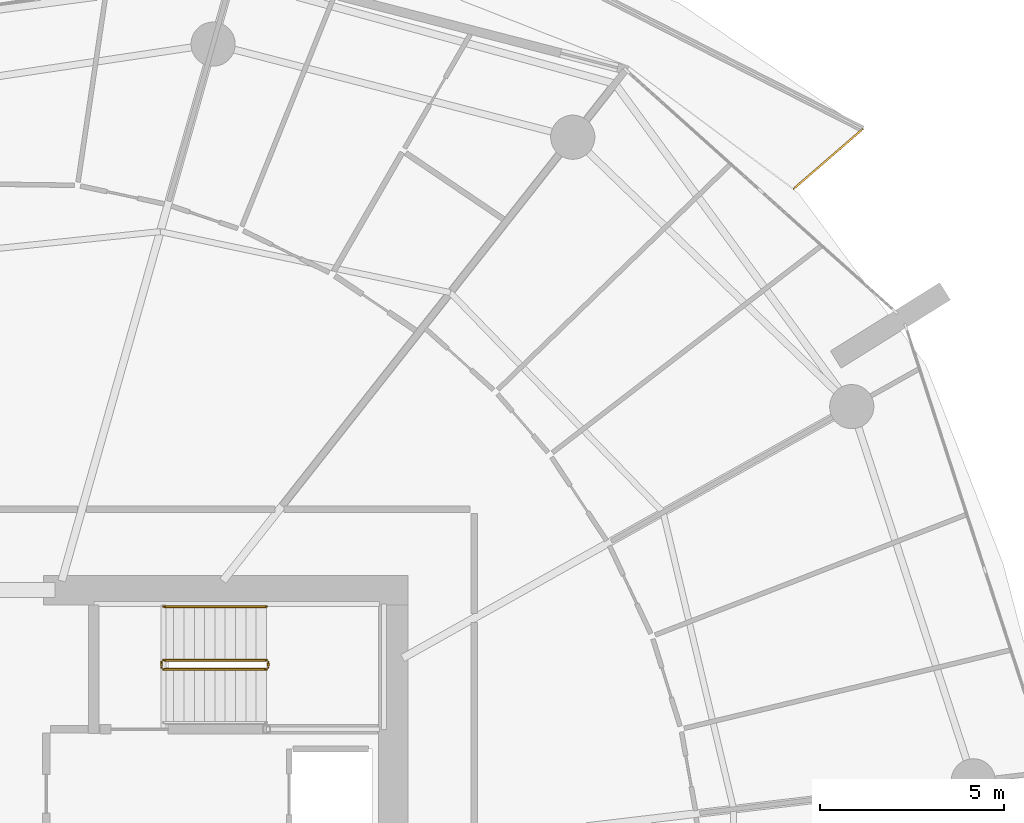
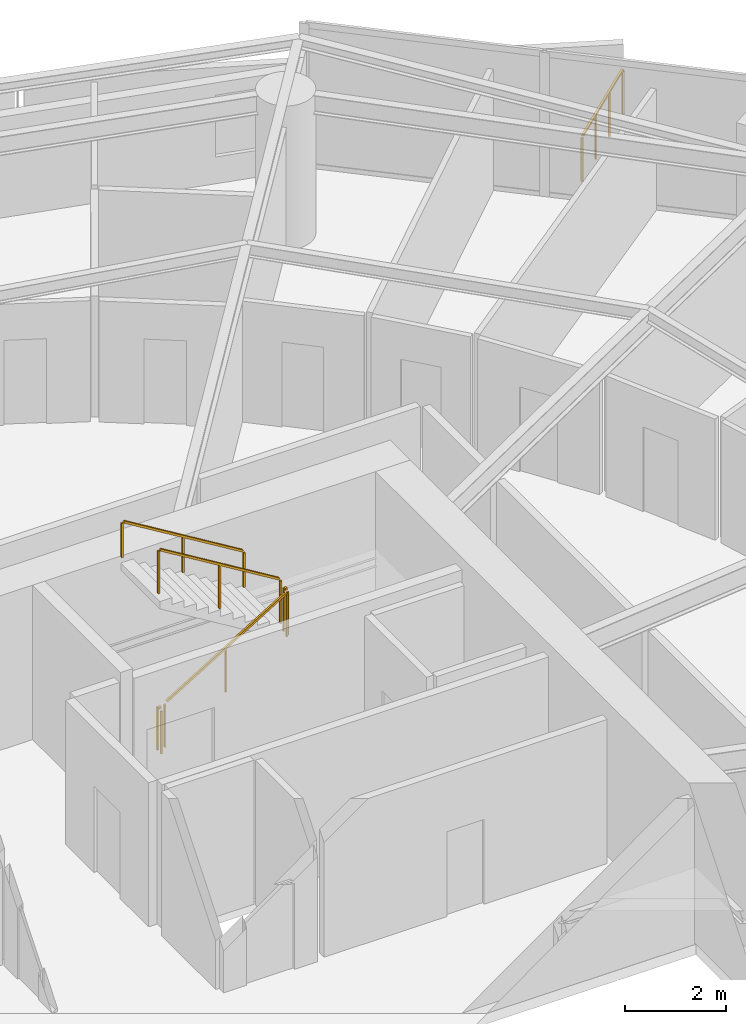
# One storey, part 22 of 23: 6 railings.
"""IFC4 building model written with IfcOpenShell, lengths in metres."""

from ifc_helpers import new_model, si_unit, direction, frame, origin, origin_2d, place, context, subcontext, project, spatial, rectangle, extrude, material, type_object, element, save


model = new_model("IFC4")

# Units and contexts
model_context = context("Model", 3, precision=1e-05, world=origin(), true_north=direction((0.0, 1.0)))
body_context = subcontext(model_context, "Body", "Model", "MODEL_VIEW")
ifc_project = project(units=[si_unit("LENGTHUNIT", "METRE"), si_unit("AREAUNIT", "SQUARE_METRE"), si_unit("VOLUMEUNIT", "CUBIC_METRE"), si_unit("PLANEANGLEUNIT", "RADIAN"), si_unit("MASSUNIT", "GRAM", prefix="KILO")], contexts=[model_context])

# Site, building, storey
site_placement = place(None, origin())
site = spatial("IfcSite", under=ifc_project, at=site_placement, CompositionType="ELEMENT")
building_placement = place(site_placement, origin())
building = spatial("IfcBuilding", under=site, at=building_placement, Name="Kazma Halo Residences", CompositionType="ELEMENT")
storey_placement = place(building_placement, frame((0.0, 0.0, 108.89990234375)))
storey = spatial("IfcBuildingStorey", under=building, at=storey_placement, Name="L27", CompositionType="ELEMENT", Elevation=108.89990234375)

# Railings
ifc_material_1 = material(Name="Aluminium AW-6063 T6 Brushed Cap Rail", Category="aluminium")
railing_type_1 = type_object("IfcRailingType", Name="RLG-BAL-CAP-1120", PredefinedType="BALUSTRADE", material=ifc_material_1)
railing_1_placement = place(storey_placement, frame((70.323974609375, 61.303466796875, 0.0)))
element("IfcRailing", 1, at=railing_1_placement, inside=storey, type_object=railing_type_1, Name="L27 NE wave balcony guard 1", PredefinedType="BALUSTRADE", context=body_context, shape_type="SweptSolid", body=[
    extrude(rectangle(XDim=0.050048828125, YDim=0.050048828125, at=origin_2d()), frame((0.0322265625, 0.02783203125, 1.09521484375), z_axis=(0.756422383747, 0.654083463609, 0.0), x_axis=(-0.654083463609, 0.756422383747, 0.0)), (0.0, 0.0, 1.0), 2.39599609375),
    extrude(rectangle(XDim=0.0400390625, YDim=0.0400390625, at=origin_2d()), origin(), (0.0, 0.0, 1.0), 1.05810546875),
    extrude(rectangle(XDim=0.0400390625, YDim=0.0400390625, at=origin_2d()), frame((0.62548828125, 0.541015625, 0.0)), (0.0, 0.0, 1.0), 1.05810546875),
    extrude(rectangle(XDim=0.0400390625, YDim=0.0400390625, at=origin_2d()), frame((1.251220703125, 1.081787109375, 0.0)), (0.0, 0.0, 1.0), 1.05810546875),
    extrude(rectangle(XDim=0.0400390625, YDim=0.0400390625, at=origin_2d()), frame((1.876708984375, 1.622802734375, 0.0)), (0.0, 0.0, 1.0), 1.05810546875),
])
ifc_material_2 = material(Name="Painted Steel S355", Category="steel")
railing_type_2 = type_object("IfcRailingType", Name="RLG-STAIR-GRD-1100", PredefinedType="GUARDRAIL", material=ifc_material_2)
railing_2_placement = place(storey_placement, frame((53.199951171875, 48.25, 0.170654296875)))
element("IfcRailing", 2, at=railing_2_placement, inside=storey, type_object=railing_type_2, Name="L27 ST-02 stair guard 1", PredefinedType="GUARDRAIL", context=body_context, shape_type="SweptSolid", body=[
    extrude(rectangle(XDim=0.050048828125, YDim=0.050048828125, at=origin_2d()), frame((0.036376953125, 0.0, 1.09716796875), z_axis=(0.854202870247, 0.0, 0.519939858505), x_axis=(0.0, 1.0, 0.0)), (0.0, 0.0, 1.0), 3.19287109375),
    extrude(rectangle(XDim=0.0400390625, YDim=0.0400390625, at=origin_2d()), origin(), (0.0, 0.0, 1.0), 1.0380859375),
    extrude(rectangle(XDim=0.0400390625, YDim=0.0400390625, at=origin_2d()), frame((1.39990234375, 0.0, 0.85205078125)), (0.0, 0.0, 1.0), 1.0380859375),
    extrude(rectangle(XDim=0.0400390625, YDim=0.0400390625, at=origin_2d()), frame((2.800048828125, 0.0, 1.704345703125)), (0.0, 0.0, 1.0), 1.0380859375),
])
railing_3_placement = place(storey_placement, frame((56.050048828125, 48.300048828125, 1.875)))
element("IfcRailing", 3, at=railing_3_placement, inside=storey, type_object=railing_type_2, Name="L27 ST-02 stair guard 2", PredefinedType="GUARDRAIL", context=body_context, shape_type="SweptSolid", body=[
    extrude(rectangle(XDim=0.050048828125, YDim=0.050048828125, at=origin_2d()), frame((0.0, 0.04248046875, 1.0751953125), z_axis=(0.0, 1.0, 0.0), x_axis=(-1.0, 0.0, 0.0)), (0.0, 0.0, 1.0), 0.06494140625),
    extrude(rectangle(XDim=0.0400390625, YDim=0.0400390625, at=origin_2d()), origin(), (0.0, 0.0, 1.0), 1.0380859375),
    extrude(rectangle(XDim=0.0400390625, YDim=0.0400390625, at=origin_2d()), frame((0.0, 0.14990234375, 0.0)), (0.0, 0.0, 1.0), 1.0380859375),
])
railing_4_placement = place(storey_placement, frame((56.0, 48.5, 2.045654296875)))
element("IfcRailing", 4, at=railing_4_placement, inside=storey, type_object=railing_type_2, Name="L27 ST-02 stair guard 3", PredefinedType="GUARDRAIL", context=body_context, shape_type="SweptSolid", body=[
    extrude(rectangle(XDim=0.050048828125, YDim=0.050048828125, at=origin_2d()), frame((-0.036376953125, 0.0, 1.09716796875), z_axis=(-0.854202870247, 0.0, 0.519939858505), x_axis=(0.0, -1.0, 0.0)), (0.0, 0.0, 1.0), 3.19287109375),
    extrude(rectangle(XDim=0.0400390625, YDim=0.0400390625, at=origin_2d()), origin(), (0.0, 0.0, 1.0), 1.0380859375),
    extrude(rectangle(XDim=0.0400390625, YDim=0.0400390625, at=origin_2d()), frame((-1.39990234375, 0.0, 0.85205078125)), (0.0, 0.0, 1.0), 1.0380859375),
    extrude(rectangle(XDim=0.0400390625, YDim=0.0400390625, at=origin_2d()), frame((-2.800048828125, 0.0, 1.704345703125)), (0.0, 0.0, 1.0), 1.0380859375),
])
railing_5_placement = place(storey_placement, frame((53.14990234375, 48.300048828125, 0.0)))
element("IfcRailing", 5, at=railing_5_placement, inside=storey, type_object=railing_type_2, Name="L27 ST-02 stair guard 4", PredefinedType="GUARDRAIL", context=body_context, shape_type="SweptSolid", body=[
    extrude(rectangle(XDim=0.050048828125, YDim=0.050048828125, at=origin_2d()), frame((0.0, 0.04248046875, 1.0751953125), z_axis=(0.0, 1.0, 0.0), x_axis=(-1.0, 0.0, 0.0)), (0.0, 0.0, 1.0), 0.06494140625),
    extrude(rectangle(XDim=0.0400390625, YDim=0.0400390625, at=origin_2d()), origin(), (0.0, 0.0, 1.0), 1.0380859375),
    extrude(rectangle(XDim=0.0400390625, YDim=0.0400390625, at=origin_2d()), frame((0.0, 0.14990234375, 0.0)), (0.0, 0.0, 1.0), 1.0380859375),
])
ifc_material_3 = material(Name="Brushed Stainless Steel", Category="steel")
railing_type_3 = type_object("IfcRailingType", Name="RLG-STAIR-HND-900", PredefinedType="HANDRAIL", material=ifc_material_3)
railing_6_placement = place(storey_placement, frame((56.0, 49.949951171875, 2.045654296875)))
element("IfcRailing", 6, at=railing_6_placement, inside=storey, type_object=railing_type_3, Name="L27 ST-02 stair handrail 2", PredefinedType="HANDRAIL", context=body_context, shape_type="SweptSolid", body=[
    extrude(rectangle(XDim=0.050048828125, YDim=0.050048828125, at=origin_2d()), frame((-0.036376953125, 0.0, 0.89697265625), z_axis=(-0.854202870247, 0.0, 0.519939858505), x_axis=(0.0, -1.0, 0.0)), (0.0, 0.0, 1.0), 3.19287109375),
    extrude(rectangle(XDim=0.0400390625, YDim=0.0400390625, at=origin_2d()), origin(), (0.0, 0.0, 1.0), 0.837890625),
    extrude(rectangle(XDim=0.0400390625, YDim=0.0400390625, at=origin_2d()), frame((-1.39990234375, 0.0, 0.85205078125)), (0.0, 0.0, 1.0), 0.837890625),
    extrude(rectangle(XDim=0.0400390625, YDim=0.0400390625, at=origin_2d()), frame((-2.800048828125, 0.0, 1.704345703125)), (0.0, 0.0, 1.0), 0.837890625),
])

save(model, "model.ifc")
